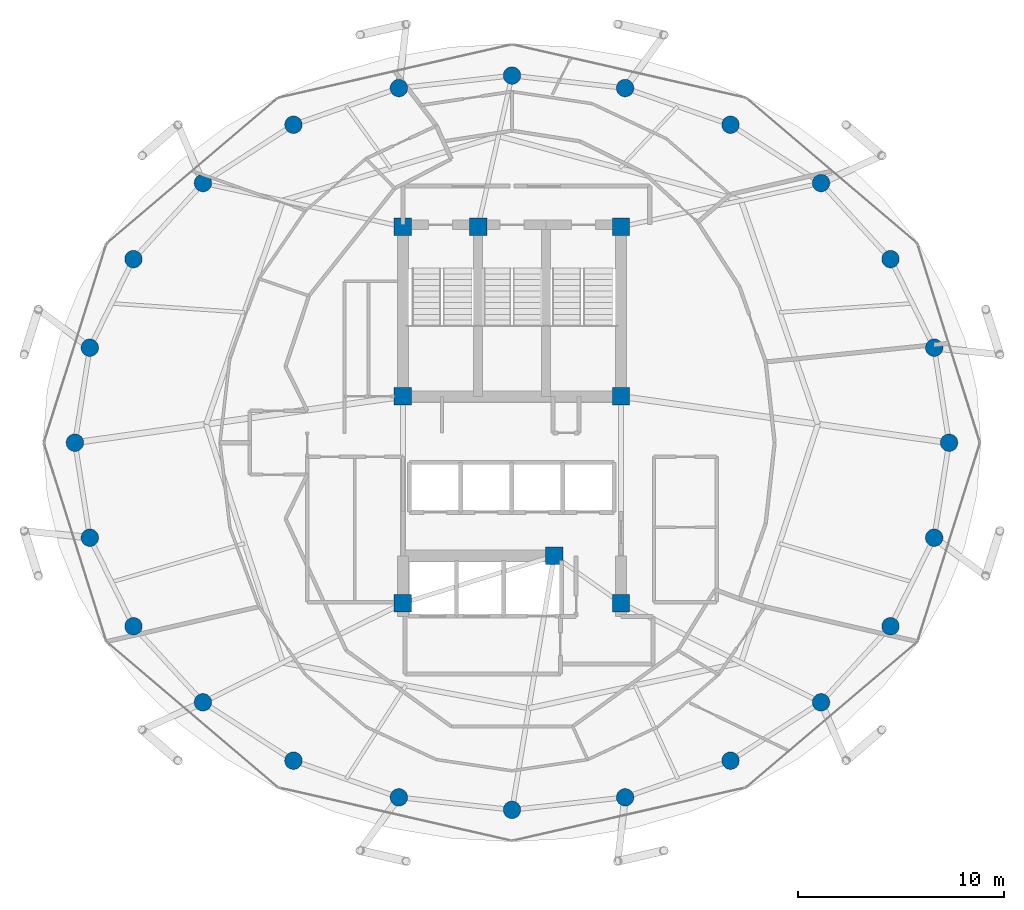
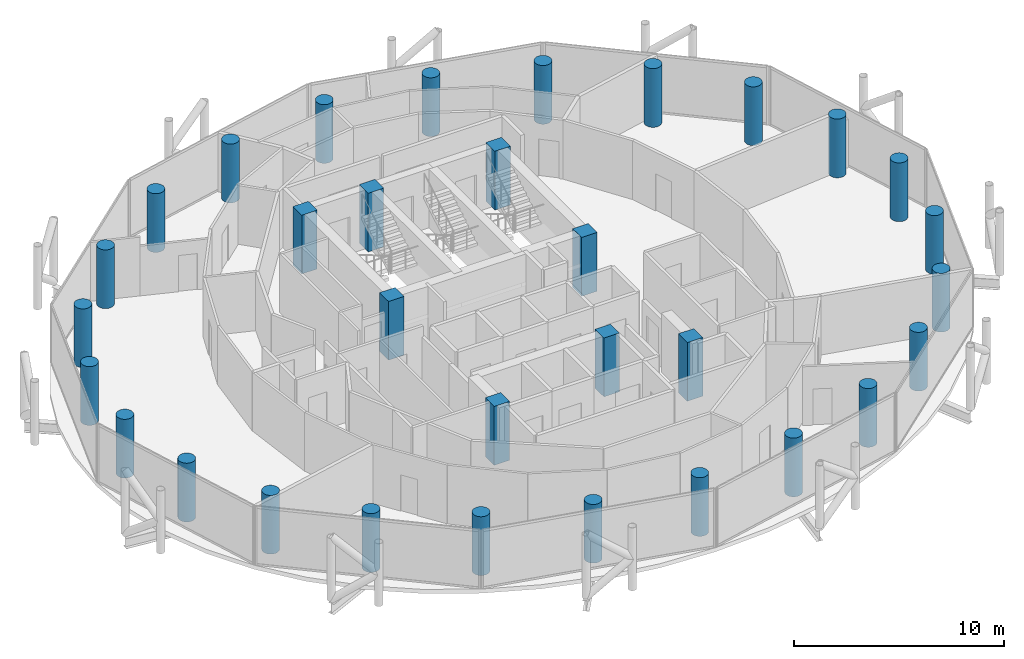
# One storey, part 1 of 27: 32 columns.
"""IFC4 building model written with IfcOpenShell, lengths in metres."""

from ifc_helpers import new_model, si_unit, direction, frame, origin, origin_2d, place, context, subcontext, project, spatial, rectangle, circle, extrude, material, material_profile, profile_set, type_object, element, save


model = new_model("IFC4")

# Units and contexts
model_context = context("Model", 3, precision=1e-05, world=origin(), true_north=direction((0.0, 1.0)))
body_context = subcontext(model_context, "Body", "Model", "MODEL_VIEW")
ifc_project = project(units=[si_unit("LENGTHUNIT", "METRE"), si_unit("AREAUNIT", "SQUARE_METRE"), si_unit("VOLUMEUNIT", "CUBIC_METRE"), si_unit("PLANEANGLEUNIT", "RADIAN"), si_unit("MASSUNIT", "GRAM", prefix="KILO")], contexts=[model_context])

# Site, building, storey
site_placement = place(None, origin())
site = spatial("IfcSite", under=ifc_project, at=site_placement, CompositionType="ELEMENT")
building_placement = place(site_placement, origin())
building = spatial("IfcBuilding", under=site, at=building_placement, Name="Nuhasar Tower", CompositionType="ELEMENT")
storey_placement = place(building_placement, frame((0.0, 0.0, 211.800048828125)))
storey = spatial("IfcBuildingStorey", under=building, at=storey_placement, Name="L51", CompositionType="ELEMENT", Elevation=211.800048828125)

# Columns
ifc_material = material(Name="Concrete C55/67", Category="concrete")
ifc_material_profile_1 = material_profile(ifc_material, circle(Radius=0.425048828125, at=origin_2d()), Name="CFT850")
ifc_profile_set_1 = profile_set([ifc_material_profile_1], Name="Concrete C55/67")
column_type_1 = type_object("IfcColumnType", Name="COL-CFT-850", PredefinedType="COLUMN", material=ifc_profile_set_1)
for number, where, z_axis, x_axis, name in (
    (1, (60.25, 26.800048828125, 0.0), (0.0, 0.0, 1.0), (1.0, 0.0, 0.0), "L51 Perimeter Composite Column TC-01"),
    (2, (59.52587890625, 31.419921875, 0.0), (0.0, 0.0, 1.0), (1.0, 0.0, 0.0), "L51 Perimeter Composite Column TC-02"),
    (3, (57.403076171875, 35.72509765625, 0.0), (0.0, 0.0, 1.0), (1.0, 0.0, 0.0), "L51 Perimeter Composite Column TC-03"),
    (4, (54.02587890625, 39.422119140625, 0.0), (0.0, 0.0, 1.0), (1.0, 0.0, 0.0), "L51 Perimeter Composite Column TC-04"),
    (5, (49.625, 42.259033203125, 0.0), (0.0, 0.0, 1.0), (1.0, 0.0, 0.0), "L51 Perimeter Composite Column TC-05"),
    (6, (44.5, 44.0419921875, 0.0), (0.0, 0.0, 1.0), (1.0, 0.0, 0.0), "L51 Perimeter Composite Column TC-06"),
    (7, (39.0, 44.64990234375, 0.0), (0.0, 0.0, 1.0), (1.0, 0.0, 0.0), "L51 Perimeter Composite Column TC-07"),
    (8, (33.5, 44.0419921875, 0.0), (0.0, 0.0, 1.0), (1.0, 0.0, 0.0), "L51 Perimeter Composite Column TC-08"),
    (9, (28.375, 42.259033203125, 0.0), (0.0, 0.0, 1.0), (1.0, 0.0, 0.0), "L51 Perimeter Composite Column TC-09"),
    (10, (23.97412109375, 39.422119140625, 0.0), (0.0, 0.0, 1.0), (1.0, 0.0, 0.0), "L51 Perimeter Composite Column TC-10"),
    (11, (20.596923828125, 35.72509765625, 0.0), (0.0, 0.0, 1.0), (1.0, 0.0, 0.0), "L51 Perimeter Composite Column TC-11"),
    (12, (18.47412109375, 31.419921875, 0.0), (0.0, 0.0, 1.0), (1.0, 0.0, 0.0), "L51 Perimeter Composite Column TC-12"),
    (13, (17.75, 26.800048828125, 0.0), (0.0, 0.0, 1.0), (1.0, 0.0, 0.0), "L51 Perimeter Composite Column TC-13"),
    (14, (18.47412109375, 22.179931640625, 0.0), (0.0, 0.0, 1.0), (1.0, 0.0, 0.0), "L51 Perimeter Composite Column TC-14"),
    (15, (20.596923828125, 17.875, 0.0), (0.0, 0.0, 1.0), (1.0, 0.0, 0.0), "L51 Perimeter Composite Column TC-15"),
    (16, (23.97412109375, 14.177978515625, 0.0), (0.0, 0.0, 1.0), (1.0, 0.0, 0.0), "L51 Perimeter Composite Column TC-16"),
    (17, (28.375, 11.341064453125, 0.0), (0.0, 0.0, 1.0), (1.0, 0.0, 0.0), "L51 Perimeter Composite Column TC-17"),
    (18, (33.5, 9.55810546875, 0.0), (0.0, 0.0, 1.0), (1.0, 0.0, 0.0), "L51 Perimeter Composite Column TC-18"),
    (19, (39.0, 8.949951171875, 0.0), (0.0, 0.0, 1.0), (1.0, 0.0, 0.0), "L51 Perimeter Composite Column TC-19"),
    (20, (44.5, 9.55810546875, 0.0), (0.0, 0.0, 1.0), (1.0, 0.0, 0.0), "L51 Perimeter Composite Column TC-20"),
    (21, (49.625, 11.341064453125, 0.0), (0.0, 0.0, 1.0), (1.0, 0.0, 0.0), "L51 Perimeter Composite Column TC-21"),
    (22, (54.02587890625, 14.177978515625, 0.0), (0.0, 0.0, 1.0), (1.0, 0.0, 0.0), "L51 Perimeter Composite Column TC-22"),
    (23, (57.403076171875, 17.875, 0.0), (0.0, 0.0, 1.0), (1.0, 0.0, 0.0), "L51 Perimeter Composite Column TC-23"),
    (24, (59.52587890625, 22.179931640625, 0.0), (0.0, 0.0, 1.0), (1.0, 0.0, 0.0), "L51 Perimeter Composite Column TC-24"),
):
    element("IfcColumn", number, at=place(storey_placement, frame(where, z_axis=z_axis, x_axis=x_axis)), inside=storey, type_object=column_type_1, Name=name, PredefinedType="COLUMN", context=body_context, shape_type="SweptSolid", body=[
        extrude(circle(Radius=0.425048828125, at=origin_2d()), origin(), (0.0, 0.0, 1.0), 3.409912109375),
    ])
ifc_material_profile_2 = material_profile(ifc_material, rectangle(XDim=0.85009765625, YDim=0.85009765625, at=origin_2d()), Name="RC850X850")
ifc_profile_set_2 = profile_set([ifc_material_profile_2], Name="Concrete C55/67")
column_type_2 = type_object("IfcColumnType", Name="PIL-RC-850", PredefinedType="PILASTER", material=ifc_profile_set_2)
for number, where, z_axis, x_axis, name in (
    (25, (33.699951171875, 19.0, 0.0), (0.0, 0.0, 1.0), (1.0, 0.0, 0.0), "L51 Core Boundary Pilaster CC-01"),
    (26, (41.050048828125, 21.300048828125, 0.0), (0.0, 0.0, 1.0), (1.0, 0.0, 0.0), "L51 Core Boundary Pilaster CC-02"),
    (27, (44.300048828125, 19.0, 0.0), (0.0, 0.0, 1.0), (1.0, 0.0, 0.0), "L51 Core Boundary Pilaster CC-03"),
    (28, (44.300048828125, 29.050048828125, 0.0), (0.0, 0.0, 1.0), (1.0, 0.0, 0.0), "L51 Core Boundary Pilaster CC-04"),
    (29, (44.300048828125, 37.300048828125, 0.0), (0.0, 0.0, 1.0), (1.0, 0.0, 0.0), "L51 Core Boundary Pilaster CC-05"),
    (30, (37.35009765625, 37.300048828125, 0.0), (0.0, 0.0, 1.0), (1.0, 0.0, 0.0), "L51 Core Boundary Pilaster CC-06"),
    (31, (33.699951171875, 37.300048828125, 0.0), (0.0, 0.0, 1.0), (1.0, 0.0, 0.0), "L51 Core Boundary Pilaster CC-07"),
    (32, (33.699951171875, 29.050048828125, 0.0), (0.0, 0.0, 1.0), (1.0, 0.0, 0.0), "L51 Core Boundary Pilaster CC-08"),
):
    element("IfcColumn", number, at=place(storey_placement, frame(where, z_axis=z_axis, x_axis=x_axis)), inside=storey, type_object=column_type_2, Name=name, PredefinedType="PILASTER", context=body_context, shape_type="SweptSolid", body=[
        extrude(rectangle(XDim=0.85009765625, YDim=0.85009765625, at=origin_2d()), origin(), (0.0, 0.0, 1.0), 3.409912109375),
    ])

save(model, "model.ifc")
